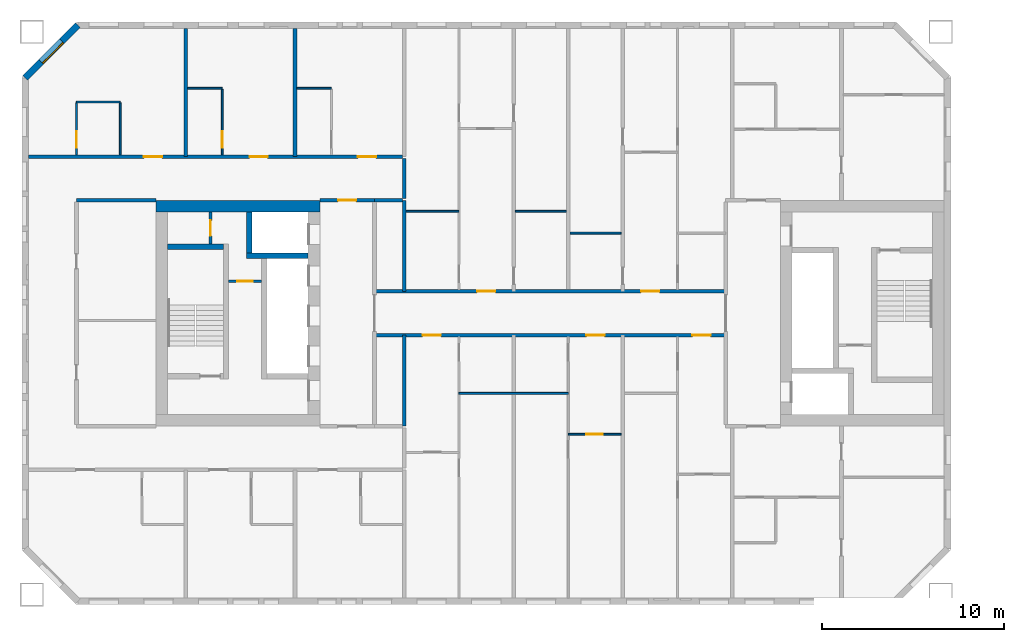
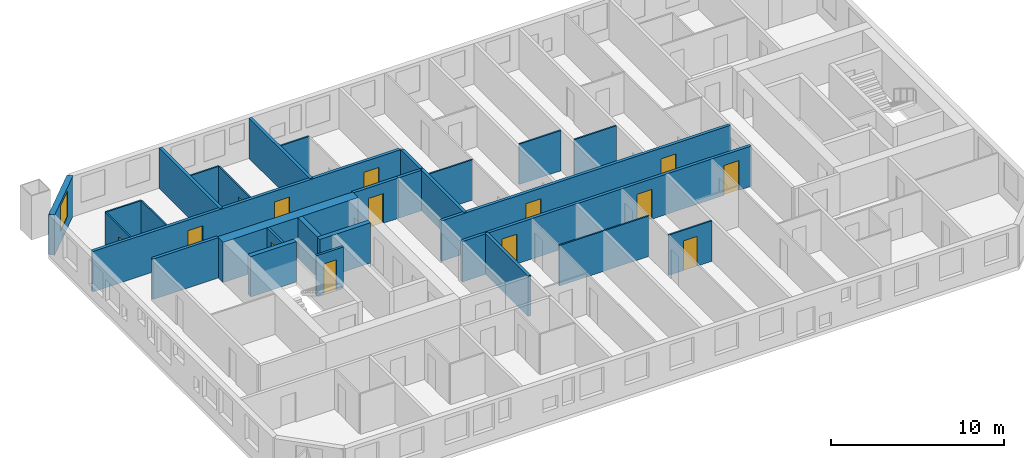
# One storey, part 5 of 17: 29 walls, 14 doors, 1 window, 15 openings.
"""IFC4 building model written with IfcOpenShell, lengths in metres."""

from ifc_helpers import new_model, si_unit, direction, frame, frame_2d, origin, place, context, subcontext, project, spatial, rectangle, extrude, material, layer, layer_set, type_object, element, fill, save


model = new_model("IFC4")

# Units and contexts
model_context = context("Model", 3, precision=1e-05, world=origin(), true_north=direction((0.0, 1.0)))
body_context = subcontext(model_context, "Body", "Model", "MODEL_VIEW")
ifc_project = project(units=[si_unit("LENGTHUNIT", "METRE"), si_unit("AREAUNIT", "SQUARE_METRE"), si_unit("VOLUMEUNIT", "CUBIC_METRE"), si_unit("PLANEANGLEUNIT", "RADIAN"), si_unit("MASSUNIT", "GRAM", prefix="KILO")], contexts=[model_context])

# Site, building, storey
site_placement = place(None, origin())
site = spatial("IfcSite", under=ifc_project, at=site_placement, CompositionType="ELEMENT")
building_placement = place(site_placement, origin())
building = spatial("IfcBuilding", under=site, at=building_placement, Name="Tuart Gate Housing", CompositionType="ELEMENT")
storey_placement = place(building_placement, frame((0.0, 0.0, 105.699951171875)))
storey = spatial("IfcBuildingStorey", under=building, at=storey_placement, Name="L29", CompositionType="ELEMENT", Elevation=105.699951171875)

# Wall, opening, window
ifc_material_1 = material(Name="Brick", Category="masonry")
ifc_layer_1 = layer(ifc_material_1, 0.360107421875)
ifc_layer_set_1 = layer_set([ifc_layer_1], Name="Brick pier and spandrel wall 360")
wall_type_1 = type_object("IfcWallType", Name="Brick pier and spandrel wall 360", PredefinedType="STANDARD", material=ifc_layer_set_1)
wall_1_placement = place(storey_placement, frame((28.07470703125, 85.820068359375, 0.0), z_axis=(0.0, 0.0, 1.0), x_axis=(-0.707106781187, -0.707106781187, 0.0)))
wall_1 = element("IfcWall", 1, at=wall_1_placement, inside=storey, type_object=wall_type_1, Name="External wall A-NW L29", PredefinedType="STANDARD", context=body_context, shape_type="SweptSolid", body=[
    extrude(rectangle(XDim=4.09375, YDim=0.360107421875, at=frame_2d((2.046875, 0.0))), origin(), (0.0, 0.0, 1.0), 2.85009765625),
])
opening_1_placement = place(wall_1_placement, frame((1.2470703125, 0.0, 0.800048828125)))
opening_1 = element("IfcOpeningElement", 2, at=opening_1_placement, cuts=wall_1, Name="Opening W1", PredefinedType="OPENING", context=body_context, shape_type="SweptSolid", body=[
    extrude(rectangle(XDim=1.60009765625, YDim=1.800048828125, at=frame_2d((0.800048828125, 0.89990234375))), frame((0.0, 0.18994140625, 0.0), z_axis=(0.0, -1.0, 0.0), x_axis=(1.0, 0.0, 0.0)), (0.0, 0.0, 1.0), 0.380126953125),
])
ifc_material_2 = material(Name="Aluminium frame with clear glass", Category="aluminium")
window_type = type_object("IfcWindowType", Name="Punched window 1600 x 1800", PartitioningType="SINGLE_PANEL", PredefinedType="WINDOW", material=ifc_material_2)
window_placement = place(opening_1_placement, origin())
window = element("IfcWindow", 3, at=window_placement, inside=storey, type_object=window_type, Name="Window W1", OverallHeight=1.800048828125, OverallWidth=1.60009765625, PartitioningType="SINGLE_PANEL", PredefinedType="WINDOW", context=body_context, shape_type="SweptSolid", body=[
    extrude(rectangle(XDim=1.60009765625, YDim=1.800048828125, at=frame_2d((0.800048828125, 0.89990234375))), frame((0.0, 0.150146484375, 0.0), z_axis=(0.0, -1.0, 0.0), x_axis=(1.0, 0.0, 0.0)), (0.0, 0.0, 1.0), 0.06005859375),
])
fill(opening_1, window)

# Wall, opening, door
ifc_material_3 = material(Name="Plasterboard partition")
ifc_layer_2 = layer(ifc_material_3, 0.14990234375)
ifc_layer_set_2 = layer_set([ifc_layer_2], Name="Core partition 150")
wall_type_2 = type_object("IfcWallType", Name="Core partition 150", PredefinedType="PARTITIONING", material=ifc_layer_set_2)
wall_2_placement = place(storey_placement, frame((38.159912109375, 71.75, 0.0), z_axis=(0.0, 0.0, 1.0), x_axis=(-1.0, 0.0, 0.0)))
wall_2 = element("IfcWall", 4, at=wall_2_placement, inside=storey, type_object=wall_type_2, Name="Core partition AK.3", PredefinedType="PARTITIONING", context=body_context, shape_type="SweptSolid", body=[
    extrude(rectangle(XDim=1.7998046875, YDim=0.14990234375, at=frame_2d((0.89990234375, 0.0))), origin(), (0.0, 0.0, 1.0), 2.85009765625),
])
opening_2_placement = place(wall_2_placement, frame((0.47509765625, 0.0, 0.0)))
opening_2 = element("IfcOpeningElement", 5, at=opening_2_placement, cuts=wall_2, Name="Opening D1202", PredefinedType="OPENING", context=body_context, shape_type="SweptSolid", body=[
    extrude(rectangle(XDim=0.85009765625, YDim=2.10009765625, at=frame_2d((0.425048828125, 1.050048828125))), frame((0.0, 0.0849609375, 0.0), z_axis=(0.0, -1.0, 0.0), x_axis=(1.0, 0.0, 0.0)), (0.0, 0.0, 1.0), 0.169921875),
])
ifc_material_4 = material(Name="Steel fire door", Category="steel")
door_type_1 = type_object("IfcDoorType", Name="Riser door 850 x 2100 RH", OperationType="SINGLE_SWING_RIGHT", PredefinedType="DOOR", material=ifc_material_4)
door_1_placement = place(opening_2_placement, frame((0.85009765625, 0.0, 0.0), z_axis=(0.0, 0.0, 1.0), x_axis=(-1.0, 0.0, 0.0)))
door_1 = element("IfcDoor", 6, at=door_1_placement, inside=storey, type_object=door_type_1, Name="Service room door AK.E1", OperationType="SINGLE_SWING_RIGHT", OverallHeight=2.10009765625, OverallWidth=0.85009765625, PredefinedType="DOOR", context=body_context, shape_type="SweptSolid", body=[
    extrude(rectangle(XDim=0.85009765625, YDim=2.10009765625, at=frame_2d((0.425048828125, 1.050048828125))), frame((0.0, 0.025146484375, 0.0), z_axis=(0.0, -1.0, 0.0), x_axis=(1.0, 0.0, 0.0)), (0.0, 0.0, 1.0), 0.050048828125),
])
fill(opening_2, door_1)

wall_3_placement = place(storey_placement, frame((35.360107421875, 75.550048828125, 0.0), z_axis=(0.0, 0.0, 1.0), x_axis=(0.0, -1.0, 0.0)))
wall_3 = element("IfcWall", 7, at=wall_3_placement, inside=storey, type_object=wall_type_2, Name="Core partition AK.9", PredefinedType="PARTITIONING", context=body_context, shape_type="SweptSolid", body=[
    extrude(rectangle(XDim=1.75, YDim=0.14990234375, at=frame_2d((0.875, 0.0))), origin(), (0.0, 0.0, 1.0), 2.85009765625),
])
opening_3_placement = place(wall_3_placement, frame((0.449951171875, 0.0, 0.0)))
opening_3 = element("IfcOpeningElement", 8, at=opening_3_placement, cuts=wall_3, Name="Opening D1200", PredefinedType="OPENING", context=body_context, shape_type="SweptSolid", body=[
    extrude(rectangle(XDim=0.85009765625, YDim=2.10009765625, at=frame_2d((0.425048828125, 1.050048828125))), frame((0.0, 0.0849609375, 0.0), z_axis=(0.0, -1.0, 0.0), x_axis=(1.0, 0.0, 0.0)), (0.0, 0.0, 1.0), 0.169921875),
])
ifc_material_5 = material(Name="Steel fire door", Category="steel")
door_type_2 = type_object("IfcDoorType", Name="Service door 850 x 2100", OperationType="SINGLE_SWING_LEFT", PredefinedType="DOOR", material=ifc_material_5)
door_2_placement = place(opening_3_placement, origin())
door_2 = element("IfcDoor", 9, at=door_2_placement, inside=storey, type_object=door_type_2, Name="Service room door AK.E2", OperationType="SINGLE_SWING_LEFT", OverallHeight=2.10009765625, OverallWidth=0.85009765625, PredefinedType="DOOR", context=body_context, shape_type="SweptSolid", body=[
    extrude(rectangle(XDim=0.85009765625, YDim=2.10009765625, at=frame_2d((0.425048828125, 1.050048828125))), frame((0.0, 0.02490234375, 0.0), z_axis=(0.0, -1.0, 0.0), x_axis=(1.0, 0.0, 0.0)), (0.0, 0.0, 1.0), 0.050048828125),
])
fill(opening_3, door_2)

# Walls
ifc_material_6 = material(Name="Concrete C50", Category="concrete")
ifc_layer_3 = layer(ifc_material_6, 0.300048828125)
ifc_layer_set_3 = layer_set([ifc_layer_3], Name="Core wall 300 C50")
wall_type_3 = type_object("IfcWallType", Name="Core wall 300 C50", PredefinedType="SHEAR", material=ifc_layer_set_3)
wall_4_placement = place(storey_placement, frame((36.06005859375, 73.64990234375, 0.0), z_axis=(0.0, 0.0, 1.0), x_axis=(-1.0, 0.0, 0.0)))
element("IfcWall", 10, at=wall_4_placement, inside=storey, type_object=wall_type_3, Name="Core wall AK.1", PredefinedType="SHEAR", context=body_context, shape_type="SweptSolid", body=[
    extrude(rectangle(XDim=3.050048828125, YDim=0.300048828125, at=frame_2d((1.52490234375, 0.0))), origin(), (0.0, 0.0, 1.0), 2.85009765625),
])
wall_5_placement = place(storey_placement, frame((40.7099609375, 73.14990234375, 0.0), z_axis=(0.0, 0.0, 1.0), x_axis=(-1.0, 0.0, 0.0)))
element("IfcWall", 11, at=wall_5_placement, inside=storey, type_object=wall_type_3, Name="Core wall AK.2", PredefinedType="SHEAR", context=body_context, shape_type="SweptSolid", body=[
    extrude(rectangle(XDim=3.369873046875, YDim=0.300048828125, at=frame_2d((1.68505859375, 0.0))), origin(), (0.0, 0.0, 1.0), 2.85009765625),
])
wall_6_placement = place(storey_placement, frame((37.489990234375, 75.550048828125, 0.0), z_axis=(0.0, 0.0, 1.0), x_axis=(0.0, -1.0, 0.0)))
element("IfcWall", 12, at=wall_6_placement, inside=storey, type_object=wall_type_3, Name="Core wall AK.7", PredefinedType="SHEAR", context=body_context, shape_type="SweptSolid", body=[
    extrude(rectangle(XDim=2.25, YDim=0.300048828125, at=frame_2d((1.125, 0.0))), origin(), (0.0, 0.0, 1.0), 2.85009765625),
])
ifc_material_7 = material(Name="Concrete C50", Category="concrete")
ifc_layer_4 = layer(ifc_material_7, 0.64990234375)
ifc_layer_set_4 = layer_set([ifc_layer_4], Name="Core wall 650 C50")
wall_type_4 = type_object("IfcWallType", Name="Core wall 650 C50", PredefinedType="SHEAR", material=ifc_layer_set_4)
wall_7_placement = place(storey_placement, frame((41.360107421875, 75.875, 0.0), z_axis=(0.0, 0.0, 1.0), x_axis=(-1.0, 0.0, 0.0)))
element("IfcWall", 13, at=wall_7_placement, inside=storey, type_object=wall_type_4, Name="Core wall AK south", PredefinedType="SHEAR", context=body_context, shape_type="SweptSolid", body=[
    extrude(rectangle(XDim=9.0, YDim=0.64990234375, at=frame_2d((4.5, 0.0))), origin(), (0.0, 0.0, 1.0), 2.85009765625),
])

# Wall, openings, doors
ifc_material_8 = material(Name="Concrete masonry 15 MPa", Category="masonry")
ifc_layer_5 = layer(ifc_material_8, 0.199951171875)
ifc_layer_set_5 = layer_set([ifc_layer_5], Name="Corridor wall masonry 200")
wall_type_5 = type_object("IfcWallType", Name="Corridor wall masonry 200", PredefinedType="PARTITIONING", material=ifc_layer_set_5)
wall_8_placement = place(storey_placement, frame((44.360107421875, 68.800048828125, 0.0), z_axis=(0.0, 0.0, 1.0), x_axis=(1.0, 0.0, 0.0)))
wall_8 = element("IfcWall", 14, at=wall_8_placement, inside=storey, type_object=wall_type_5, Name="Corridor wall masonry 200", PredefinedType="PARTITIONING", context=body_context, shape_type="SweptSolid", body=[
    extrude(rectangle(XDim=19.27978515625, YDim=0.199951171875, at=frame_2d((9.639892578125, 0.0))), origin(), (0.0, 0.0, 1.0), 2.85009765625),
])
opening_4_placement = place(wall_8_placement, frame((17.4599609375, 0.0, 0.0)))
opening_4 = element("IfcOpeningElement", 15, at=opening_4_placement, cuts=wall_8, Name="Opening D1211", PredefinedType="OPENING", context=body_context, shape_type="SweptSolid", body=[
    extrude(rectangle(XDim=1.0, YDim=2.10009765625, at=frame_2d((0.5, 1.050048828125))), frame((0.0, 0.10986328125, 0.0), z_axis=(0.0, -1.0, 0.0), x_axis=(1.0, 0.0, 0.0)), (0.0, 0.0, 1.0), 0.219970703125),
])
opening_5_placement = place(wall_8_placement, frame((11.639892578125, 0.0, 0.0)))
opening_5 = element("IfcOpeningElement", 16, at=opening_5_placement, cuts=wall_8, Name="Opening D1212", PredefinedType="OPENING", context=body_context, shape_type="SweptSolid", body=[
    extrude(rectangle(XDim=1.0, YDim=2.10009765625, at=frame_2d((0.5, 1.050048828125))), frame((0.0, 0.10986328125, 0.0), z_axis=(0.0, -1.0, 0.0), x_axis=(1.0, 0.0, 0.0)), (0.0, 0.0, 1.0), 0.219970703125),
])
opening_6_placement = place(wall_8_placement, frame((2.639892578125, 0.0, 0.0)))
opening_6 = element("IfcOpeningElement", 17, at=opening_6_placement, cuts=wall_8, Name="Opening D1213", PredefinedType="OPENING", context=body_context, shape_type="SweptSolid", body=[
    extrude(rectangle(XDim=1.0, YDim=2.10009765625, at=frame_2d((0.5, 1.050048828125))), frame((0.0, 0.10986328125, 0.0), z_axis=(0.0, -1.0, 0.0), x_axis=(1.0, 0.0, 0.0)), (0.0, 0.0, 1.0), 0.219970703125),
])
ifc_material_9 = material(Name="Timber door leaf in steel frame", Category="steel")
door_type_3 = type_object("IfcDoorType", Name="Flat entrance door 1000 RH", OperationType="SINGLE_SWING_RIGHT", PredefinedType="DOOR", material=ifc_material_9)
door_3_placement = place(opening_4_placement, frame((1.0, 0.0, 0.0), z_axis=(0.0, 0.0, 1.0), x_axis=(-1.0, 0.0, 0.0)))
door_3 = element("IfcDoor", 18, at=door_3_placement, inside=storey, type_object=door_type_3, Name="Flat entrance door", OperationType="SINGLE_SWING_RIGHT", OverallHeight=2.10009765625, OverallWidth=1.0, PredefinedType="DOOR", context=body_context, shape_type="SweptSolid", body=[
    extrude(rectangle(XDim=1.0, YDim=2.10009765625, at=frame_2d((0.5, 1.050048828125))), frame((0.0, 0.025146484375, 0.0), z_axis=(0.0, -1.0, 0.0), x_axis=(1.0, 0.0, 0.0)), (0.0, 0.0, 1.0), 0.050048828125),
])
fill(opening_4, door_3)
door_4_placement = place(opening_5_placement, frame((1.0, 0.0, 0.0), z_axis=(0.0, 0.0, 1.0), x_axis=(-1.0, 0.0, 0.0)))
door_4 = element("IfcDoor", 19, at=door_4_placement, inside=storey, type_object=door_type_3, Name="Flat entrance door", OperationType="SINGLE_SWING_RIGHT", OverallHeight=2.10009765625, OverallWidth=1.0, PredefinedType="DOOR", context=body_context, shape_type="SweptSolid", body=[
    extrude(rectangle(XDim=1.0, YDim=2.10009765625, at=frame_2d((0.5, 1.050048828125))), frame((0.0, 0.025146484375, 0.0), z_axis=(0.0, -1.0, 0.0), x_axis=(1.0, 0.0, 0.0)), (0.0, 0.0, 1.0), 0.050048828125),
])
fill(opening_5, door_4)
door_5_placement = place(opening_6_placement, frame((1.0, 0.0, 0.0), z_axis=(0.0, 0.0, 1.0), x_axis=(-1.0, 0.0, 0.0)))
door_5 = element("IfcDoor", 20, at=door_5_placement, inside=storey, type_object=door_type_3, Name="Flat entrance door", OperationType="SINGLE_SWING_RIGHT", OverallHeight=2.10009765625, OverallWidth=1.0, PredefinedType="DOOR", context=body_context, shape_type="SweptSolid", body=[
    extrude(rectangle(XDim=1.0, YDim=2.10009765625, at=frame_2d((0.5, 1.050048828125))), frame((0.0, 0.025146484375, 0.0), z_axis=(0.0, -1.0, 0.0), x_axis=(1.0, 0.0, 0.0)), (0.0, 0.0, 1.0), 0.050048828125),
])
fill(opening_6, door_5)

wall_9_placement = place(storey_placement, frame((44.360107421875, 71.199951171875, 0.0), z_axis=(0.0, 0.0, 1.0), x_axis=(1.0, 0.0, 0.0)))
wall_9 = element("IfcWall", 21, at=wall_9_placement, inside=storey, type_object=wall_type_5, Name="Corridor wall masonry 200", PredefinedType="PARTITIONING", context=body_context, shape_type="SweptSolid", body=[
    extrude(rectangle(XDim=19.27978515625, YDim=0.199951171875, at=frame_2d((9.639892578125, 0.0))), origin(), (0.0, 0.0, 1.0), 2.85009765625),
])
opening_7_placement = place(wall_9_placement, frame((14.639892578125, 0.0, 0.0)))
opening_7 = element("IfcOpeningElement", 22, at=opening_7_placement, cuts=wall_9, Name="Opening D1203", PredefinedType="OPENING", context=body_context, shape_type="SweptSolid", body=[
    extrude(rectangle(XDim=1.0, YDim=2.10009765625, at=frame_2d((0.5, 1.050048828125))), frame((0.0, 0.10986328125, 0.0), z_axis=(0.0, -1.0, 0.0), x_axis=(1.0, 0.0, 0.0)), (0.0, 0.0, 1.0), 0.219970703125),
])
opening_8_placement = place(wall_9_placement, frame((5.639892578125, 0.0, 0.0)))
opening_8 = element("IfcOpeningElement", 23, at=opening_8_placement, cuts=wall_9, Name="Opening D1204", PredefinedType="OPENING", context=body_context, shape_type="SweptSolid", body=[
    extrude(rectangle(XDim=1.0, YDim=2.10009765625, at=frame_2d((0.5, 1.050048828125))), frame((0.0, 0.10986328125, 0.0), z_axis=(0.0, -1.0, 0.0), x_axis=(1.0, 0.0, 0.0)), (0.0, 0.0, 1.0), 0.219970703125),
])
ifc_material_10 = material(Name="Timber door leaf in steel frame", Category="steel")
door_type_4 = type_object("IfcDoorType", Name="Flat entrance door 1000", OperationType="SINGLE_SWING_LEFT", PredefinedType="DOOR", material=ifc_material_10)
door_6_placement = place(opening_7_placement, origin())
door_6 = element("IfcDoor", 24, at=door_6_placement, inside=storey, type_object=door_type_4, Name="Flat entrance door", OperationType="SINGLE_SWING_LEFT", OverallHeight=2.10009765625, OverallWidth=1.0, PredefinedType="DOOR", context=body_context, shape_type="SweptSolid", body=[
    extrude(rectangle(XDim=1.0, YDim=2.10009765625, at=frame_2d((0.5, 1.050048828125))), frame((0.0, 0.02490234375, 0.0), z_axis=(0.0, -1.0, 0.0), x_axis=(1.0, 0.0, 0.0)), (0.0, 0.0, 1.0), 0.050048828125),
])
fill(opening_7, door_6)
door_7_placement = place(opening_8_placement, origin())
door_7 = element("IfcDoor", 25, at=door_7_placement, inside=storey, type_object=door_type_4, Name="Flat entrance door", OperationType="SINGLE_SWING_LEFT", OverallHeight=2.10009765625, OverallWidth=1.0, PredefinedType="DOOR", context=body_context, shape_type="SweptSolid", body=[
    extrude(rectangle(XDim=1.0, YDim=2.10009765625, at=frame_2d((0.5, 1.050048828125))), frame((0.0, 0.02490234375, 0.0), z_axis=(0.0, -1.0, 0.0), x_axis=(1.0, 0.0, 0.0)), (0.0, 0.0, 1.0), 0.050048828125),
])
fill(opening_8, door_7)

# Walls
wall_10_placement = place(storey_placement, frame((28.0, 76.199951171875, 0.0), z_axis=(0.0, 0.0, 1.0), x_axis=(1.0, 0.0, 0.0)))
element("IfcWall", 26, at=wall_10_placement, inside=storey, type_object=wall_type_5, Name="Corridor wall masonry 200", PredefinedType="PARTITIONING", context=body_context, shape_type="SweptSolid", body=[
    extrude(rectangle(XDim=4.360107421875, YDim=0.199951171875, at=frame_2d((2.18017578125, 0.0))), origin(), (0.0, 0.0, 1.0), 2.85009765625),
])
wall_11_placement = place(storey_placement, frame((44.360107421875, 76.199951171875, 0.0), z_axis=(0.0, 0.0, 1.0), x_axis=(1.0, 0.0, 0.0)))
element("IfcWall", 27, at=wall_11_placement, inside=storey, type_object=wall_type_5, Name="Corridor wall masonry 200", PredefinedType="PARTITIONING", context=body_context, shape_type="SweptSolid", body=[
    extrude(rectangle(XDim=1.539794921875, YDim=0.199951171875, at=frame_2d((0.77001953125, 0.0))), origin(), (0.0, 0.0, 1.0), 2.85009765625),
])

# Wall, openings, doors
wall_12_placement = place(storey_placement, frame((25.360107421875, 78.60009765625, 0.0), z_axis=(0.0, 0.0, 1.0), x_axis=(1.0, 0.0, 0.0)))
wall_12 = element("IfcWall", 28, at=wall_12_placement, inside=storey, type_object=wall_type_5, Name="Corridor wall masonry 200", PredefinedType="PARTITIONING", context=body_context, shape_type="SweptSolid", body=[
    extrude(rectangle(XDim=20.539794921875, YDim=0.199951171875, at=frame_2d((10.27001953125, 0.0))), origin(), (0.0, 0.0, 1.0), 2.85009765625),
])
opening_9_placement = place(wall_12_placement, frame((18.090087890625, 0.0, 0.0)))
opening_9 = element("IfcOpeningElement", 29, at=opening_9_placement, cuts=wall_12, Name="Opening D1187", PredefinedType="OPENING", context=body_context, shape_type="SweptSolid", body=[
    extrude(rectangle(XDim=1.0, YDim=2.10009765625, at=frame_2d((0.5, 1.050048828125))), frame((0.0, 0.10986328125, 0.0), z_axis=(0.0, -1.0, 0.0), x_axis=(1.0, 0.0, 0.0)), (0.0, 0.0, 1.0), 0.219970703125),
])
opening_10_placement = place(wall_12_placement, frame((12.139892578125, 0.0, 0.0)))
opening_10 = element("IfcOpeningElement", 30, at=opening_10_placement, cuts=wall_12, Name="Opening D1188", PredefinedType="OPENING", context=body_context, shape_type="SweptSolid", body=[
    extrude(rectangle(XDim=1.0, YDim=2.10009765625, at=frame_2d((0.5, 1.050048828125))), frame((0.0, 0.10986328125, 0.0), z_axis=(0.0, -1.0, 0.0), x_axis=(1.0, 0.0, 0.0)), (0.0, 0.0, 1.0), 0.219970703125),
])
opening_11_placement = place(wall_12_placement, frame((6.340087890625, 0.0, 0.0)))
opening_11 = element("IfcOpeningElement", 31, at=opening_11_placement, cuts=wall_12, Name="Opening D1189", PredefinedType="OPENING", context=body_context, shape_type="SweptSolid", body=[
    extrude(rectangle(XDim=1.0, YDim=2.10009765625, at=frame_2d((0.5, 1.050048828125))), frame((0.0, 0.10986328125, 0.0), z_axis=(0.0, -1.0, 0.0), x_axis=(1.0, 0.0, 0.0)), (0.0, 0.0, 1.0), 0.219970703125),
])
door_8_placement = place(opening_9_placement, origin())
door_8 = element("IfcDoor", 32, at=door_8_placement, inside=storey, type_object=door_type_4, Name="Flat entrance door", OperationType="SINGLE_SWING_LEFT", OverallHeight=2.10009765625, OverallWidth=1.0, PredefinedType="DOOR", context=body_context, shape_type="SweptSolid", body=[
    extrude(rectangle(XDim=1.0, YDim=2.10009765625, at=frame_2d((0.5, 1.050048828125))), frame((0.0, 0.02490234375, 0.0), z_axis=(0.0, -1.0, 0.0), x_axis=(1.0, 0.0, 0.0)), (0.0, 0.0, 1.0), 0.050048828125),
])
fill(opening_9, door_8)
door_9_placement = place(opening_10_placement, origin())
door_9 = element("IfcDoor", 33, at=door_9_placement, inside=storey, type_object=door_type_4, Name="Flat entrance door", OperationType="SINGLE_SWING_LEFT", OverallHeight=2.10009765625, OverallWidth=1.0, PredefinedType="DOOR", context=body_context, shape_type="SweptSolid", body=[
    extrude(rectangle(XDim=1.0, YDim=2.10009765625, at=frame_2d((0.5, 1.050048828125))), frame((0.0, 0.02490234375, 0.0), z_axis=(0.0, -1.0, 0.0), x_axis=(1.0, 0.0, 0.0)), (0.0, 0.0, 1.0), 0.050048828125),
])
fill(opening_10, door_9)
door_10_placement = place(opening_11_placement, origin())
door_10 = element("IfcDoor", 34, at=door_10_placement, inside=storey, type_object=door_type_4, Name="Flat entrance door", OperationType="SINGLE_SWING_LEFT", OverallHeight=2.10009765625, OverallWidth=1.0, PredefinedType="DOOR", context=body_context, shape_type="SweptSolid", body=[
    extrude(rectangle(XDim=1.0, YDim=2.10009765625, at=frame_2d((0.5, 1.050048828125))), frame((0.0, 0.02490234375, 0.0), z_axis=(0.0, -1.0, 0.0), x_axis=(1.0, 0.0, 0.0)), (0.0, 0.0, 1.0), 0.050048828125),
])
fill(opening_11, door_10)

# Wall
wall_13_placement = place(storey_placement, frame((46.0, 76.300048828125, 0.0), z_axis=(0.0, 0.0, 1.0), x_axis=(0.0, 1.0, 0.0)))
element("IfcWall", 35, at=wall_13_placement, inside=storey, type_object=wall_type_5, Name="Corridor wall masonry 200", PredefinedType="PARTITIONING", context=body_context, shape_type="SweptSolid", body=[
    extrude(rectangle(XDim=2.199951171875, YDim=0.199951171875, at=frame_2d((1.10009765625, 0.0))), origin(), (0.0, 0.0, 1.0), 2.85009765625),
])

# Wall, opening, door
ifc_material_11 = material(Name="Concrete masonry 15 MPa", Category="masonry")
ifc_layer_6 = layer(ifc_material_11, 0.199951171875)
ifc_layer_set_6 = layer_set([ifc_layer_6], Name="Enclosure wall masonry 200")
wall_type_6 = type_object("IfcWallType", Name="Enclosure wall masonry 200", PredefinedType="PARTITIONING", material=ifc_layer_set_6)
wall_14_placement = place(storey_placement, frame((41.360107421875, 76.199951171875, 0.0), z_axis=(0.0, 0.0, 1.0), x_axis=(1.0, 0.0, 0.0)))
wall_14 = element("IfcWall", 36, at=wall_14_placement, inside=storey, type_object=wall_type_6, Name="Enclosure wall masonry 200", PredefinedType="PARTITIONING", context=body_context, shape_type="SweptSolid", body=[
    extrude(rectangle(XDim=3.0, YDim=0.199951171875, at=frame_2d((1.5, 0.0))), origin(), (0.0, 0.0, 1.0), 2.85009765625),
])
opening_12_placement = place(wall_14_placement, frame((1.0, 0.0, 0.0)))
opening_12 = element("IfcOpeningElement", 37, at=opening_12_placement, cuts=wall_14, Name="Opening D1198", PredefinedType="OPENING", context=body_context, shape_type="SweptSolid", body=[
    extrude(rectangle(XDim=1.0, YDim=2.10009765625, at=frame_2d((0.5, 1.050048828125))), frame((0.0, 0.10986328125, 0.0), z_axis=(0.0, -1.0, 0.0), x_axis=(1.0, 0.0, 0.0)), (0.0, 0.0, 1.0), 0.219970703125),
])
ifc_material_12 = material(Name="Timber door leaf in steel frame", Category="steel")
door_type_5 = type_object("IfcDoorType", Name="Fire door 1000 RH", OperationType="SINGLE_SWING_RIGHT", PredefinedType="DOOR", material=ifc_material_12)
door_11_placement = place(opening_12_placement, origin())
door_11 = element("IfcDoor", 38, at=door_11_placement, inside=storey, type_object=door_type_5, Name="Fire door", OperationType="SINGLE_SWING_RIGHT", OverallHeight=2.10009765625, OverallWidth=1.0, PredefinedType="DOOR", context=body_context, shape_type="SweptSolid", body=[
    extrude(rectangle(XDim=1.0, YDim=2.10009765625, at=frame_2d((0.5, 1.050048828125))), frame((0.0, 0.02490234375, 0.0), z_axis=(0.0, -1.0, 0.0), x_axis=(1.0, 0.0, 0.0)), (0.0, 0.0, 1.0), 0.050048828125),
])
fill(opening_12, door_11)

ifc_material_13 = material(Name="Gypsum board on steel studs", Category="steel")
ifc_layer_7 = layer(ifc_material_13, 0.10009765625)
ifc_layer_set_7 = layer_set([ifc_layer_7], Name="Partition 100")
wall_type_7 = type_object("IfcWallType", Name="Partition 100", PredefinedType="PARTITIONING", material=ifc_layer_set_7)
wall_15_placement = place(storey_placement, frame((55.0, 63.360107421875, 0.0), z_axis=(0.0, 0.0, 1.0), x_axis=(1.0, 0.0, 0.0)))
wall_15 = element("IfcWall", 39, at=wall_15_placement, inside=storey, type_object=wall_type_7, Name="Partition 100", PredefinedType="PARTITIONING", context=body_context, shape_type="SweptSolid", body=[
    extrude(rectangle(XDim=2.89990234375, YDim=0.10009765625, at=frame_2d((1.449951171875, 0.0))), origin(), (0.0, 0.0, 1.0), 2.85009765625),
])
opening_13_placement = place(wall_15_placement, frame((1.0, 0.0, 0.0)))
opening_13 = element("IfcOpeningElement", 40, at=opening_13_placement, cuts=wall_15, Name="Opening D1218", PredefinedType="OPENING", context=body_context, shape_type="SweptSolid", body=[
    extrude(rectangle(XDim=0.89990234375, YDim=2.10009765625, at=frame_2d((0.449951171875, 1.050048828125))), frame((0.0, 0.06005859375, 0.0), z_axis=(0.0, -1.0, 0.0), x_axis=(1.0, 0.0, 0.0)), (0.0, 0.0, 1.0), 0.1201171875),
])
ifc_material_14 = material(Name="Timber door leaf in steel frame", Category="steel")
door_type_6 = type_object("IfcDoorType", Name="Internal door 900", OperationType="SINGLE_SWING_LEFT", PredefinedType="DOOR", material=ifc_material_14)
door_12_placement = place(opening_13_placement, origin())
door_12 = element("IfcDoor", 41, at=door_12_placement, inside=storey, type_object=door_type_6, Name="Internal door", OperationType="SINGLE_SWING_LEFT", OverallHeight=2.10009765625, OverallWidth=0.89990234375, PredefinedType="DOOR", context=body_context, shape_type="SweptSolid", body=[
    extrude(rectangle(XDim=0.89990234375, YDim=2.10009765625, at=frame_2d((0.449951171875, 1.050048828125))), frame((0.0, 0.02490234375, 0.0), z_axis=(0.0, -1.0, 0.0), x_axis=(1.0, 0.0, 0.0)), (0.0, 0.0, 1.0), 0.050048828125),
])
fill(opening_13, door_12)

# Walls
wall_16_placement = place(storey_placement, frame((49.0, 65.60009765625, 0.0), z_axis=(0.0, 0.0, 1.0), x_axis=(1.0, 0.0, 0.0)))
element("IfcWall", 42, at=wall_16_placement, inside=storey, type_object=wall_type_7, Name="Partition 100", PredefinedType="PARTITIONING", context=body_context, shape_type="SweptSolid", body=[
    extrude(rectangle(XDim=6.0, YDim=0.10009765625, at=frame_2d((3.0, 0.0))), origin(), (0.0, 0.0, 1.0), 2.85009765625),
])
wall_17_placement = place(storey_placement, frame((55.10009765625, 74.39990234375, 0.0), z_axis=(0.0, 0.0, 1.0), x_axis=(1.0, 0.0, 0.0)))
element("IfcWall", 43, at=wall_17_placement, inside=storey, type_object=wall_type_7, Name="Partition 100", PredefinedType="PARTITIONING", context=body_context, shape_type="SweptSolid", body=[
    extrude(rectangle(XDim=2.7998046875, YDim=0.10009765625, at=frame_2d((1.39990234375, 0.0))), origin(), (0.0, 0.0, 1.0), 2.85009765625),
])
wall_18_placement = place(storey_placement, frame((46.10009765625, 75.60009765625, 0.0), z_axis=(0.0, 0.0, 1.0), x_axis=(1.0, 0.0, 0.0)))
element("IfcWall", 44, at=wall_18_placement, inside=storey, type_object=wall_type_7, Name="Partition 100", PredefinedType="PARTITIONING", context=body_context, shape_type="SweptSolid", body=[
    extrude(rectangle(XDim=2.89990234375, YDim=0.10009765625, at=frame_2d((1.449951171875, 0.0))), origin(), (0.0, 0.0, 1.0), 2.85009765625),
])
wall_19_placement = place(storey_placement, frame((52.10009765625, 75.60009765625, 0.0), z_axis=(0.0, 0.0, 1.0), x_axis=(1.0, 0.0, 0.0)))
element("IfcWall", 45, at=wall_19_placement, inside=storey, type_object=wall_type_7, Name="Partition 100", PredefinedType="PARTITIONING", context=body_context, shape_type="SweptSolid", body=[
    extrude(rectangle(XDim=2.7998046875, YDim=0.10009765625, at=frame_2d((1.39990234375, 0.0))), origin(), (0.0, 0.0, 1.0), 2.85009765625),
])
wall_20_placement = place(storey_placement, frame((28.0, 81.60009765625, 0.0), z_axis=(0.0, 0.0, 1.0), x_axis=(1.0, 0.0, 0.0)))
element("IfcWall", 46, at=wall_20_placement, inside=storey, type_object=wall_type_7, Name="Partition 100", PredefinedType="PARTITIONING", context=body_context, shape_type="SweptSolid", body=[
    extrude(rectangle(XDim=2.39990234375, YDim=0.10009765625, at=frame_2d((1.199951171875, 0.0))), origin(), (0.0, 0.0, 1.0), 2.85009765625),
])
for number, where, z_axis, x_axis, name in (
    (47, (34.10009765625, 82.35009765625, 0.0), (0.0, 0.0, 1.0), (1.0, 0.0, 0.0), "Partition 100"),
    (48, (40.10009765625, 82.35009765625, 0.0), (0.0, 0.0, 1.0), (1.0, 0.0, 0.0), "Partition 100"),
):
    element("IfcWall", number, at=place(storey_placement, frame(where, z_axis=z_axis, x_axis=x_axis)), inside=storey, type_object=wall_type_7, Name=name, PredefinedType="PARTITIONING", context=body_context, shape_type="SweptSolid", body=[
        extrude(rectangle(XDim=1.89990234375, YDim=0.10009765625, at=frame_2d((0.949951171875, 0.0))), origin(), (0.0, 0.0, 1.0), 2.85009765625),
    ])

# Wall, opening, door
wall_21_placement = place(storey_placement, frame((28.0, 78.699951171875, 0.0), z_axis=(0.0, 0.0, 1.0), x_axis=(0.0, 1.0, 0.0)))
wall_21 = element("IfcWall", 49, at=wall_21_placement, inside=storey, type_object=wall_type_7, Name="Partition 100", PredefinedType="PARTITIONING", context=body_context, shape_type="SweptSolid", body=[
    extrude(rectangle(XDim=2.85009765625, YDim=0.10009765625, at=frame_2d((1.425048828125, 0.0))), origin(), (0.0, 0.0, 1.0), 2.85009765625),
])
opening_14_placement = place(wall_21_placement, frame((0.39990234375, 0.0, 0.0)))
opening_14 = element("IfcOpeningElement", 50, at=opening_14_placement, cuts=wall_21, Name="Opening D1183", PredefinedType="OPENING", context=body_context, shape_type="SweptSolid", body=[
    extrude(rectangle(XDim=0.89990234375, YDim=2.10009765625, at=frame_2d((0.449951171875, 1.050048828125))), frame((0.0, 0.06005859375, 0.0), z_axis=(0.0, -1.0, 0.0), x_axis=(1.0, 0.0, 0.0)), (0.0, 0.0, 1.0), 0.1201171875),
])
ifc_material_15 = material(Name="Timber door leaf in steel frame", Category="steel")
door_type_7 = type_object("IfcDoorType", Name="Bathroom door 900 RH", OperationType="SINGLE_SWING_RIGHT", PredefinedType="DOOR", material=ifc_material_15)
door_13_placement = place(opening_14_placement, frame((0.89990234375, 0.0, 0.0), z_axis=(0.0, 0.0, 1.0), x_axis=(-1.0, 0.0, 0.0)))
door_13 = element("IfcDoor", 51, at=door_13_placement, inside=storey, type_object=door_type_7, Name="Bathroom door", OperationType="SINGLE_SWING_RIGHT", OverallHeight=2.10009765625, OverallWidth=0.89990234375, PredefinedType="DOOR", context=body_context, shape_type="SweptSolid", body=[
    extrude(rectangle(XDim=0.89990234375, YDim=2.10009765625, at=frame_2d((0.449951171875, 1.050048828125))), frame((0.0, 0.025146484375, 0.0), z_axis=(0.0, -1.0, 0.0), x_axis=(1.0, 0.0, 0.0)), (0.0, 0.0, 1.0), 0.050048828125),
])
fill(opening_14, door_13)

# Wall
wall_22_placement = place(storey_placement, frame((30.39990234375, 78.699951171875, 0.0), z_axis=(0.0, 0.0, 1.0), x_axis=(0.0, 1.0, 0.0)))
element("IfcWall", 52, at=wall_22_placement, inside=storey, type_object=wall_type_7, Name="Partition 100", PredefinedType="PARTITIONING", context=body_context, shape_type="SweptSolid", body=[
    extrude(rectangle(XDim=2.85009765625, YDim=0.10009765625, at=frame_2d((1.425048828125, 0.0))), origin(), (0.0, 0.0, 1.0), 2.85009765625),
])

# Wall, opening, door
wall_23_placement = place(storey_placement, frame((36.0, 78.699951171875, 0.0), z_axis=(0.0, 0.0, 1.0), x_axis=(0.0, 1.0, 0.0)))
wall_23 = element("IfcWall", 53, at=wall_23_placement, inside=storey, type_object=wall_type_7, Name="Partition 100", PredefinedType="PARTITIONING", context=body_context, shape_type="SweptSolid", body=[
    extrude(rectangle(XDim=3.60009765625, YDim=0.10009765625, at=frame_2d((1.800048828125, 0.0))), origin(), (0.0, 0.0, 1.0), 2.85009765625),
])
opening_15_placement = place(wall_23_placement, frame((0.39990234375, 0.0, 0.0)))
opening_15 = element("IfcOpeningElement", 54, at=opening_15_placement, cuts=wall_23, Name="Opening D1180", PredefinedType="OPENING", context=body_context, shape_type="SweptSolid", body=[
    extrude(rectangle(XDim=0.89990234375, YDim=2.10009765625, at=frame_2d((0.449951171875, 1.050048828125))), frame((0.0, 0.06005859375, 0.0), z_axis=(0.0, -1.0, 0.0), x_axis=(1.0, 0.0, 0.0)), (0.0, 0.0, 1.0), 0.1201171875),
])
ifc_material_16 = material(Name="Timber door leaf in steel frame", Category="steel")
door_type_8 = type_object("IfcDoorType", Name="Bathroom door 900", OperationType="SINGLE_SWING_LEFT", PredefinedType="DOOR", material=ifc_material_16)
door_14_placement = place(opening_15_placement, origin())
door_14 = element("IfcDoor", 55, at=door_14_placement, inside=storey, type_object=door_type_8, Name="Bathroom door", OperationType="SINGLE_SWING_LEFT", OverallHeight=2.10009765625, OverallWidth=0.89990234375, PredefinedType="DOOR", context=body_context, shape_type="SweptSolid", body=[
    extrude(rectangle(XDim=0.89990234375, YDim=2.10009765625, at=frame_2d((0.449951171875, 1.050048828125))), frame((0.0, 0.02490234375, 0.0), z_axis=(0.0, -1.0, 0.0), x_axis=(1.0, 0.0, 0.0)), (0.0, 0.0, 1.0), 0.050048828125),
])
fill(opening_15, door_14)

# Walls
ifc_material_17 = material(Name="Concrete C40", Category="concrete")
ifc_layer_8 = layer(ifc_material_17, 0.199951171875)
ifc_layer_set_8 = layer_set([ifc_layer_8], Name="Party wall concrete C40 200")
wall_type_8 = type_object("IfcWallType", Name="Party wall concrete C40 200", PredefinedType="SOLIDWALL", material=ifc_layer_set_8)
for number, where, z_axis, x_axis, name in (
    (56, (34.0, 78.60009765625, 0.0), (0.0, 0.0, 1.0), (0.0, 1.0, 0.0), "Party wall concrete C40 200"),
    (57, (40.0, 78.60009765625, 0.0), (0.0, 0.0, 1.0), (0.0, 1.0, 0.0), "Party wall concrete C40 200"),
):
    element("IfcWall", number, at=place(storey_placement, frame(where, z_axis=z_axis, x_axis=x_axis)), inside=storey, type_object=wall_type_8, Name=name, PredefinedType="SOLIDWALL", context=body_context, shape_type="SweptSolid", body=[
        extrude(rectangle(XDim=7.039794921875, YDim=0.199951171875, at=frame_2d((3.52001953125, 0.0))), origin(), (0.0, 0.0, 1.0), 2.85009765625),
    ])
for number, where, z_axis, x_axis, name in (
    (58, (46.0, 63.800048828125, 0.0), (0.0, 0.0, 1.0), (0.0, 1.0, 0.0), "Party wall concrete C40 200"),
    (59, (46.0, 71.199951171875, 0.0), (0.0, 0.0, 1.0), (0.0, 1.0, 0.0), "Party wall concrete C40 200"),
):
    element("IfcWall", number, at=place(storey_placement, frame(where, z_axis=z_axis, x_axis=x_axis)), inside=storey, type_object=wall_type_8, Name=name, PredefinedType="SOLIDWALL", context=body_context, shape_type="SweptSolid", body=[
        extrude(rectangle(XDim=5.0, YDim=0.199951171875, at=frame_2d((2.5, 0.0))), origin(), (0.0, 0.0, 1.0), 2.85009765625),
    ])

save(model, "model.ifc")
